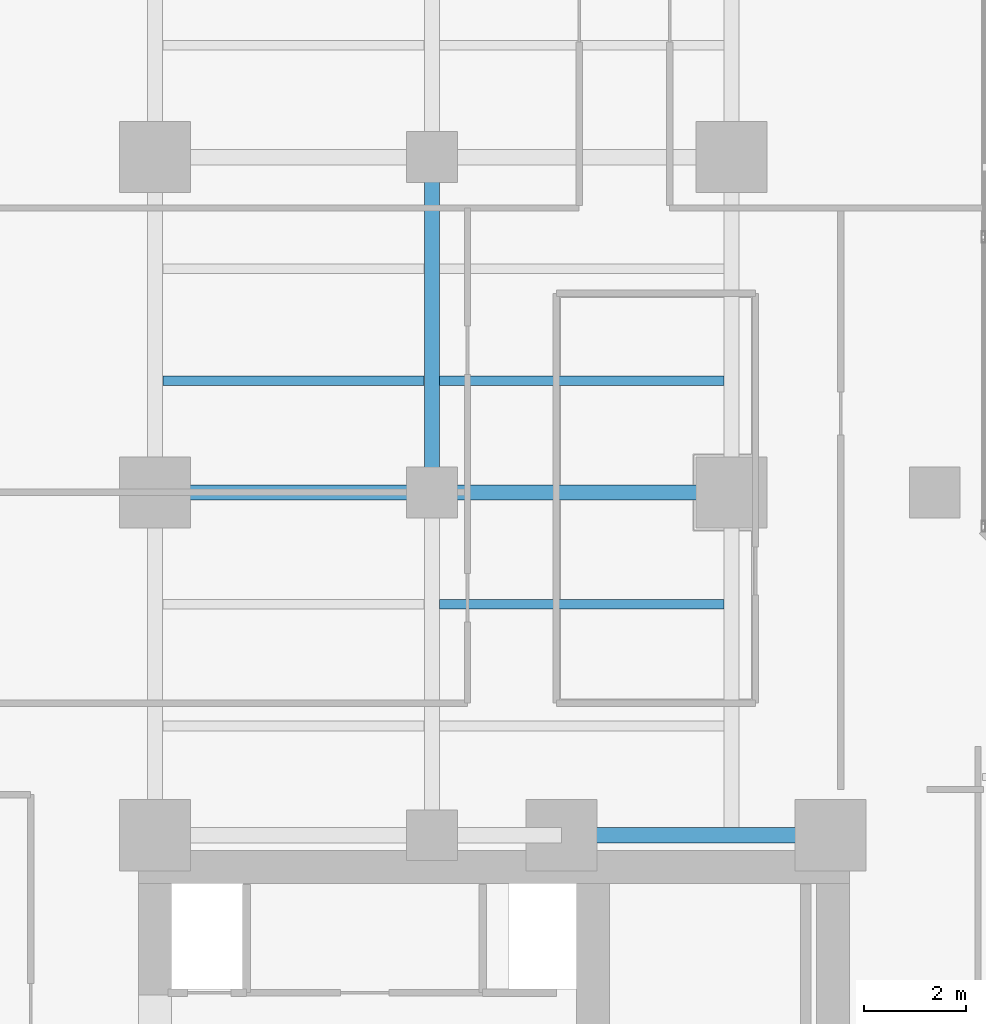
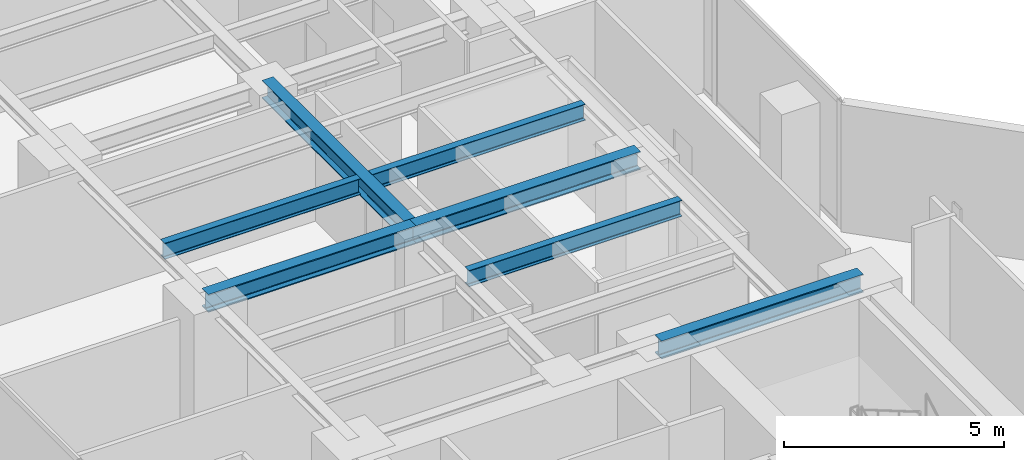
# One storey, part 8 of 26: 7 beams.
"""IFC4 building model written with IfcOpenShell, lengths in metres."""

from ifc_helpers import new_model, si_unit, direction, frame, origin, origin_2d, place, context, subcontext, project, spatial, i_section, extrude, material, material_profile, profile_set, type_object, element, save


model = new_model("IFC4")

# Units and contexts
model_context = context("Model", 3, precision=1e-05, world=origin(), true_north=direction((0.0, 1.0)))
body_context = subcontext(model_context, "Body", "Model", "MODEL_VIEW")
ifc_project = project(units=[si_unit("LENGTHUNIT", "METRE"), si_unit("AREAUNIT", "SQUARE_METRE"), si_unit("VOLUMEUNIT", "CUBIC_METRE"), si_unit("PLANEANGLEUNIT", "RADIAN"), si_unit("MASSUNIT", "GRAM", prefix="KILO")], contexts=[model_context])

# Site, building, storey
site_placement = place(None, origin())
site = spatial("IfcSite", under=ifc_project, at=site_placement, CompositionType="ELEMENT")
building_placement = place(site_placement, origin())
building = spatial("IfcBuilding", under=site, at=building_placement, Name="Kolvaren Waterfront Exchange", CompositionType="ELEMENT")
storey_placement = place(building_placement, frame((0.0, 0.0, 125.89990234375)))
storey = spatial("IfcBuildingStorey", under=building, at=storey_placement, Name="L32", CompositionType="ELEMENT", Elevation=125.89990234375)

# Beams
ifc_material = material(Name="Steel S355", Category="steel")
ifc_material_profile_1 = material_profile(ifc_material, i_section(OverallWidth=0.300048828125, OverallDepth=0.5, WebThickness=0.014404296875, FlangeThickness=0.028076171875, FilletRadius=0.027099609375, at=origin_2d()), Name="HEB500")
ifc_profile_set_1 = profile_set([ifc_material_profile_1], Name="Steel S355")
beam_type_1 = type_object("IfcBeamType", Name="STR-BM-HEB500", PredefinedType="BEAM", material=ifc_profile_set_1)
beam_1_placement = place(storey_placement, frame((15.449951171875, 24.449951171875, 3.2900390625), z_axis=(1.0, 0.0, 0.0), x_axis=(0.0, 1.0, 0.0)))
element("IfcBeam", 1, at=beam_1_placement, inside=storey, type_object=beam_type_1, Name="L32 north-arm girder 1C", PredefinedType="BEAM", context=body_context, shape_type="SweptSolid", body=[
    extrude(i_section(OverallWidth=0.300048828125, OverallDepth=0.5, WebThickness=0.014404296875, FlangeThickness=0.028076171875, FilletRadius=0.027099609375, at=origin_2d()), origin(), (0.0, 0.0, 1.0), 5.300048828125),
])
beam_2_placement = place(storey_placement, frame((7.449951171875, 31.199951171875, 3.2900390625), z_axis=(1.0, 0.0, 0.0), x_axis=(0.0, 1.0, 0.0)))
element("IfcBeam", 2, at=beam_2_placement, inside=storey, type_object=beam_type_1, Name="L32 north-arm girder 2A", PredefinedType="BEAM", context=body_context, shape_type="SweptSolid", body=[
    extrude(i_section(OverallWidth=0.300048828125, OverallDepth=0.5, WebThickness=0.014404296875, FlangeThickness=0.028076171875, FilletRadius=0.027099609375, at=origin_2d()), origin(), (0.0, 0.0, 1.0), 5.449951171875),
])
beam_3_placement = place(storey_placement, frame((12.89990234375, 31.199951171875, 3.2900390625), z_axis=(1.0, 0.0, 0.0), x_axis=(0.0, 1.0, 0.0)))
element("IfcBeam", 3, at=beam_3_placement, inside=storey, type_object=beam_type_1, Name="L32 north-arm girder 2B", PredefinedType="BEAM", context=body_context, shape_type="SweptSolid", body=[
    extrude(i_section(OverallWidth=0.300048828125, OverallDepth=0.5, WebThickness=0.014404296875, FlangeThickness=0.028076171875, FilletRadius=0.027099609375, at=origin_2d()), origin(), (0.0, 0.0, 1.0), 5.900146484375),
])
beam_4_placement = place(storey_placement, frame((12.89990234375, 31.199951171875, 3.2900390625), z_axis=(0.0, 1.0, 0.0), x_axis=(-1.0, 0.0, 0.0)))
element("IfcBeam", 4, at=beam_4_placement, inside=storey, type_object=beam_type_1, Name="L32 north-arm edge beam 2", PredefinedType="BEAM", context=body_context, shape_type="SweptSolid", body=[
    extrude(i_section(OverallWidth=0.300048828125, OverallDepth=0.5, WebThickness=0.014404296875, FlangeThickness=0.028076171875, FilletRadius=0.027099609375, at=origin_2d()), origin(), (0.0, 0.0, 1.0), 6.60009765625),
])
ifc_material_profile_2 = material_profile(ifc_material, i_section(OverallWidth=0.18994140625, OverallDepth=0.449951171875, WebThickness=0.009521484375, FlangeThickness=0.0146484375, FilletRadius=0.02099609375, at=origin_2d()), Name="IPE450")
ifc_profile_set_2 = profile_set([ifc_material_profile_2], Name="Steel S355")
beam_type_2 = type_object("IfcBeamType", Name="STR-BM-IPE450", PredefinedType="JOIST", material=ifc_profile_set_2)
beam_5_placement = place(storey_placement, frame((13.052001953125, 29.0, 3.315185546875), z_axis=(1.0, 0.0, 0.0), x_axis=(0.0, 1.0, 0.0)))
element("IfcBeam", 5, at=beam_5_placement, inside=storey, type_object=beam_type_2, Name="L32 north-arm composite joist 2B", PredefinedType="JOIST", context=body_context, shape_type="SweptSolid", body=[
    extrude(i_section(OverallWidth=0.18994140625, OverallDepth=0.449951171875, WebThickness=0.009521484375, FlangeThickness=0.0146484375, FilletRadius=0.02099609375, at=origin_2d()), origin(), (0.0, 0.0, 1.0), 5.595947265625),
])
beam_6_placement = place(storey_placement, frame((7.60205078125, 33.39990234375, 3.315185546875), z_axis=(1.0, 0.0, 0.0), x_axis=(0.0, 1.0, 0.0)))
element("IfcBeam", 6, at=beam_6_placement, inside=storey, type_object=beam_type_2, Name="L32 north-arm composite joist 3A", PredefinedType="JOIST", context=body_context, shape_type="SweptSolid", body=[
    extrude(i_section(OverallWidth=0.18994140625, OverallDepth=0.449951171875, WebThickness=0.009521484375, FlangeThickness=0.0146484375, FilletRadius=0.02099609375, at=origin_2d()), origin(), (0.0, 0.0, 1.0), 5.14599609375),
])
beam_7_placement = place(storey_placement, frame((13.052001953125, 33.39990234375, 3.315185546875), z_axis=(1.0, 0.0, 0.0), x_axis=(0.0, 1.0, 0.0)))
element("IfcBeam", 7, at=beam_7_placement, inside=storey, type_object=beam_type_2, Name="L32 north-arm composite joist 3B", PredefinedType="JOIST", context=body_context, shape_type="SweptSolid", body=[
    extrude(i_section(OverallWidth=0.18994140625, OverallDepth=0.449951171875, WebThickness=0.009521484375, FlangeThickness=0.0146484375, FilletRadius=0.02099609375, at=origin_2d()), origin(), (0.0, 0.0, 1.0), 5.595947265625),
])

save(model, "model.ifc")
